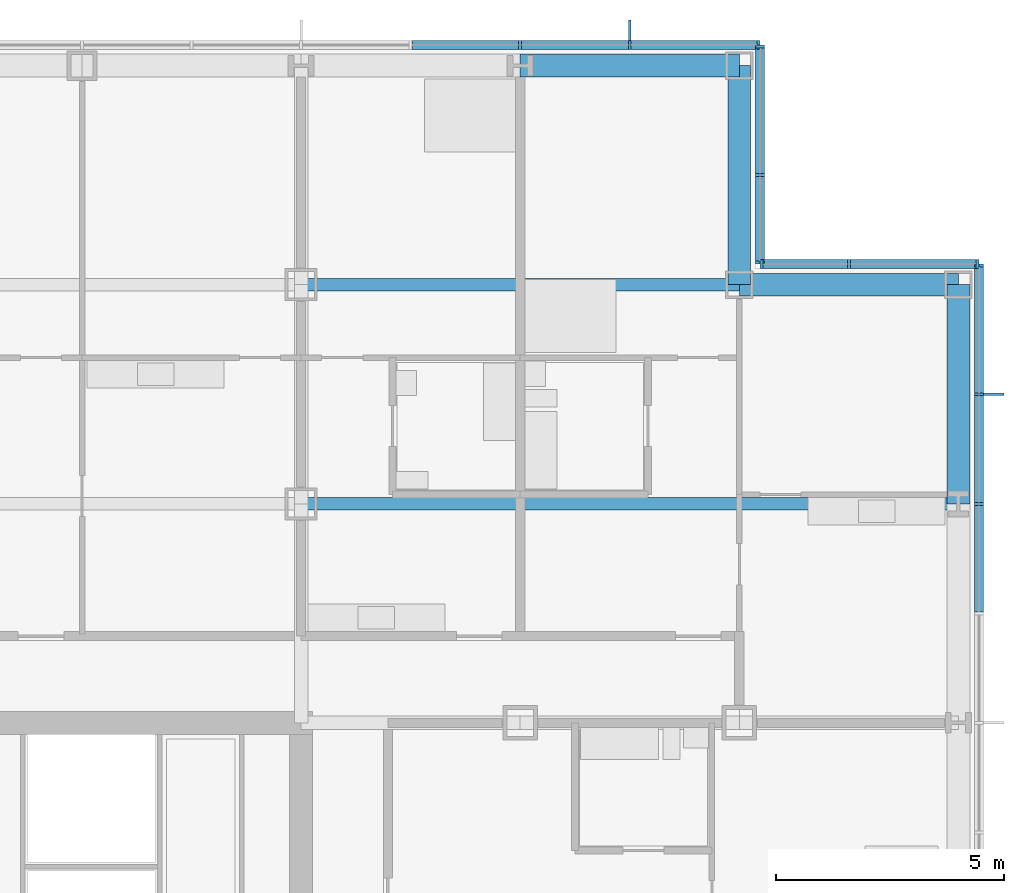
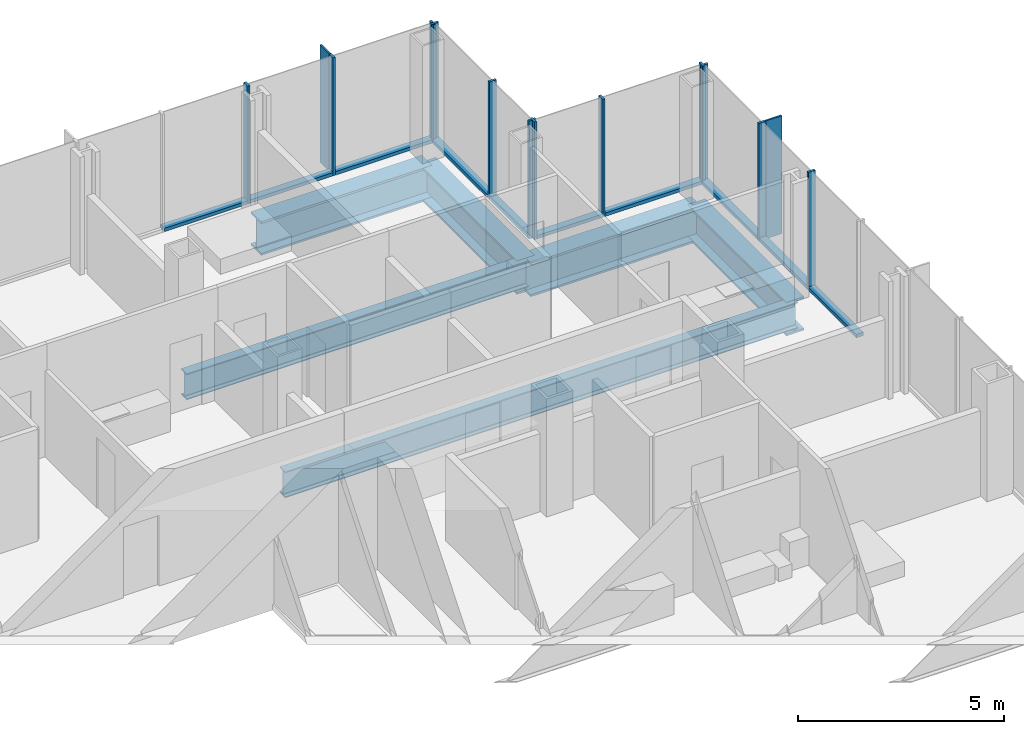
# One storey, part 11 of 21: 24 members, 6 beams, 4 elements without a shape of their own.
"""IFC4 building model written with IfcOpenShell, lengths in metres."""

from ifc_helpers import new_model, si_unit, direction, frame, origin, origin_2d, place, context, subcontext, project, spatial, rectangle, i_section, extrude, material, material_profile, profile_set, type_object, element, aggregate, save


model = new_model("IFC4")

# Units and contexts
model_context = context("Model", 3, precision=1e-05, world=origin(), true_north=direction((0.0, 1.0)))
body_context = subcontext(model_context, "Body", "Model", "MODEL_VIEW")
ifc_project = project(units=[si_unit("LENGTHUNIT", "METRE"), si_unit("AREAUNIT", "SQUARE_METRE"), si_unit("VOLUMEUNIT", "CUBIC_METRE"), si_unit("PLANEANGLEUNIT", "RADIAN"), si_unit("MASSUNIT", "GRAM", prefix="KILO")], contexts=[model_context])

# Site, building, storey
site_placement = place(None, origin())
site = spatial("IfcSite", under=ifc_project, at=site_placement, CompositionType="ELEMENT")
building_placement = place(site_placement, origin())
building = spatial("IfcBuilding", under=site, at=building_placement, Name="Kvirike Care Tower", CompositionType="ELEMENT")
storey_placement = place(building_placement, frame((0.0, 0.0, 27.0)))
storey = spatial("IfcBuildingStorey", under=building, at=storey_placement, Name="L06", CompositionType="ELEMENT", Elevation=27.0)

# Curtain wall, member
ifc_material_1 = material(Name="Anodised aluminium stick system", Category="aluminium")
curtain_wall_type = type_object("IfcCurtainWallType", Name="CW-A STICK CURTAIN WALL", PredefinedType="NOTDEFINED", material=ifc_material_1)
curtain_wall_1_placement = place(storey_placement, origin())
curtain_wall_1 = element("IfcCurtainWall", 1, at=curtain_wall_1_placement, inside=storey, type_object=curtain_wall_type, Name="Curtain wall L06 face 7", PredefinedType="NOTDEFINED")
ifc_material_2 = material(Name="Bronze anodised aluminium fin", Category="aluminium")
ifc_material_profile_1 = material_profile(ifc_material_2, rectangle(XDim=0.050048828125, YDim=0.449951171875, at=origin_2d()), Name="BRONZE FIN 450")
ifc_profile_set_1 = profile_set([ifc_material_profile_1], Name="Bronze anodised aluminium fin")
member_type_1 = type_object("IfcMemberType", Name="BRONZE FIN 450", PredefinedType="USERDEFINED", material=ifc_profile_set_1)
member_1_placement = place(storey_placement, frame((43.97509765625, 50.39990234375, 0.0), z_axis=(0.0, 0.0, 1.0), x_axis=(0.0, 1.0, 0.0)))
member_1 = element("IfcMember", 2, at=member_1_placement, type_object=member_type_1, Name="Bronze fin L06 face 7.14", ObjectType="FIN", PredefinedType="USERDEFINED", context=body_context, shape_type="SweptSolid", body=[
    extrude(rectangle(XDim=0.050048828125, YDim=0.449951171875, at=origin_2d()), origin(), (0.0, 0.0, 1.0), 3.5),
])

curtain_wall_2_placement = place(storey_placement, origin())
curtain_wall_2 = element("IfcCurtainWall", 3, at=curtain_wall_2_placement, inside=storey, type_object=curtain_wall_type, Name="Curtain wall L06 face 10", PredefinedType="NOTDEFINED")
member_2_placement = place(storey_placement, frame((36.0, 58.375, 0.0), z_axis=(0.0, 0.0, 1.0), x_axis=(-1.0, 0.0, 0.0)))
member_2 = element("IfcMember", 4, at=member_2_placement, type_object=member_type_1, Name="Bronze fin L06 face 10.2", ObjectType="FIN", PredefinedType="USERDEFINED", context=body_context, shape_type="SweptSolid", body=[
    extrude(rectangle(XDim=0.050048828125, YDim=0.449951171875, at=origin_2d()), origin(), (0.0, 0.0, 1.0), 3.5),
])

# Member
ifc_material_3 = material(Name="Bronze anodised aluminium mullion", Category="aluminium")
ifc_material_profile_2 = material_profile(ifc_material_3, rectangle(XDim=0.06494140625, YDim=0.199951171875, at=origin_2d()), Name="CW-A MULLION 65x200")
ifc_profile_set_2 = profile_set([ifc_material_profile_2], Name="Bronze anodised aluminium mullion")
member_type_2 = type_object("IfcMemberType", Name="CW-A MULLION 65x200", PredefinedType="MULLION", material=ifc_profile_set_2)
member_3_placement = place(storey_placement, frame((43.64990234375, 48.0, 0.0), z_axis=(0.0, 0.0, 1.0), x_axis=(0.0, 1.0, 0.0)))
member_3 = element("IfcMember", 5, at=member_3_placement, type_object=member_type_2, Name="CW-A mullion L06 face 7.13", PredefinedType="MULLION", context=body_context, shape_type="SweptSolid", body=[
    extrude(rectangle(XDim=0.06494140625, YDim=0.199951171875, at=origin_2d()), origin(), (0.0, 0.0, 1.0), 3.5),
])

member_4_placement = place(storey_placement, frame((43.64990234375, 50.39990234375, 0.0), z_axis=(0.0, 0.0, 1.0), x_axis=(0.0, 1.0, 0.0)))
member_4 = element("IfcMember", 6, at=member_4_placement, type_object=member_type_2, Name="CW-A mullion L06 face 7.14", PredefinedType="MULLION", context=body_context, shape_type="SweptSolid", body=[
    extrude(rectangle(XDim=0.06494140625, YDim=0.199951171875, at=origin_2d()), origin(), (0.0, 0.0, 1.0), 3.5),
])

member_5_placement = place(storey_placement, frame((43.64990234375, 53.217529296875, 0.0), z_axis=(0.0, 0.0, 1.0), x_axis=(0.0, 1.0, 0.0)))
member_5 = element("IfcMember", 7, at=member_5_placement, type_object=member_type_2, Name="CW-A mullion L06 face 7.15", PredefinedType="MULLION", context=body_context, shape_type="SweptSolid", body=[
    extrude(rectangle(XDim=0.06494140625, YDim=0.199951171875, at=origin_2d()), origin(), (0.0, 0.0, 1.0), 3.5),
])

# Curtain wall, members
curtain_wall_3_placement = place(storey_placement, origin())
curtain_wall_3 = element("IfcCurtainWall", 8, at=curtain_wall_3_placement, inside=storey, type_object=curtain_wall_type, Name="Curtain wall L06 face 8", PredefinedType="NOTDEFINED")
member_6_placement = place(storey_placement, frame((43.617431640625, 53.25, 0.0), z_axis=(0.0, 0.0, 1.0), x_axis=(-1.0, 0.0, 0.0)))
member_6 = element("IfcMember", 9, at=member_6_placement, type_object=member_type_2, Name="CW-A mullion L06 face 8.1", PredefinedType="MULLION", context=body_context, shape_type="SweptSolid", body=[
    extrude(rectangle(XDim=0.06494140625, YDim=0.199951171875, at=origin_2d()), origin(), (0.0, 0.0, 1.0), 3.5),
])
member_7_placement = place(storey_placement, frame((40.800048828125, 53.25, 0.0), z_axis=(0.0, 0.0, 1.0), x_axis=(-1.0, 0.0, 0.0)))
member_7 = element("IfcMember", 10, at=member_7_placement, type_object=member_type_2, Name="CW-A mullion L06 face 8.2", PredefinedType="MULLION", context=body_context, shape_type="SweptSolid", body=[
    extrude(rectangle(XDim=0.06494140625, YDim=0.199951171875, at=origin_2d()), origin(), (0.0, 0.0, 1.0), 3.5),
])
member_8_placement = place(storey_placement, frame((38.882568359375, 53.25, 0.0), z_axis=(0.0, 0.0, 1.0), x_axis=(-1.0, 0.0, 0.0)))
member_8 = element("IfcMember", 11, at=member_8_placement, type_object=member_type_2, Name="CW-A mullion L06 face 8.3", PredefinedType="MULLION", context=body_context, shape_type="SweptSolid", body=[
    extrude(rectangle(XDim=0.06494140625, YDim=0.199951171875, at=origin_2d()), origin(), (0.0, 0.0, 1.0), 3.5),
])

curtain_wall_4_placement = place(storey_placement, origin())
curtain_wall_4 = element("IfcCurtainWall", 12, at=curtain_wall_4_placement, inside=storey, type_object=curtain_wall_type, Name="Curtain wall L06 face 9", PredefinedType="NOTDEFINED")
member_9_placement = place(storey_placement, frame((38.85009765625, 53.282470703125, 0.0), z_axis=(0.0, 0.0, 1.0), x_axis=(0.0, 1.0, 0.0)))
member_9 = element("IfcMember", 13, at=member_9_placement, type_object=member_type_2, Name="CW-A mullion L06 face 9.1", PredefinedType="MULLION", context=body_context, shape_type="SweptSolid", body=[
    extrude(rectangle(XDim=0.06494140625, YDim=0.199951171875, at=origin_2d()), origin(), (0.0, 0.0, 1.0), 3.5),
])
member_10_placement = place(storey_placement, frame((38.85009765625, 55.199951171875, 0.0), z_axis=(0.0, 0.0, 1.0), x_axis=(0.0, 1.0, 0.0)))
member_10 = element("IfcMember", 14, at=member_10_placement, type_object=member_type_2, Name="CW-A mullion L06 face 9.2", PredefinedType="MULLION", context=body_context, shape_type="SweptSolid", body=[
    extrude(rectangle(XDim=0.06494140625, YDim=0.199951171875, at=origin_2d()), origin(), (0.0, 0.0, 1.0), 3.5),
])
member_11_placement = place(storey_placement, frame((38.85009765625, 58.017578125, 0.0), z_axis=(0.0, 0.0, 1.0), x_axis=(0.0, 1.0, 0.0)))
member_11 = element("IfcMember", 15, at=member_11_placement, type_object=member_type_2, Name="CW-A mullion L06 face 9.3", PredefinedType="MULLION", context=body_context, shape_type="SweptSolid", body=[
    extrude(rectangle(XDim=0.06494140625, YDim=0.199951171875, at=origin_2d()), origin(), (0.0, 0.0, 1.0), 3.5),
])

# Member
member_12_placement = place(storey_placement, frame((38.8173828125, 58.050048828125, 0.0), z_axis=(0.0, 0.0, 1.0), x_axis=(-1.0, 0.0, 0.0)))
member_12 = element("IfcMember", 16, at=member_12_placement, type_object=member_type_2, Name="CW-A mullion L06 face 10.1", PredefinedType="MULLION", context=body_context, shape_type="SweptSolid", body=[
    extrude(rectangle(XDim=0.06494140625, YDim=0.199951171875, at=origin_2d()), origin(), (0.0, 0.0, 1.0), 3.5),
])

member_13_placement = place(storey_placement, frame((36.0, 58.050048828125, 0.0), z_axis=(0.0, 0.0, 1.0), x_axis=(-1.0, 0.0, 0.0)))
member_13 = element("IfcMember", 17, at=member_13_placement, type_object=member_type_2, Name="CW-A mullion L06 face 10.2", PredefinedType="MULLION", context=body_context, shape_type="SweptSolid", body=[
    extrude(rectangle(XDim=0.06494140625, YDim=0.199951171875, at=origin_2d()), origin(), (0.0, 0.0, 1.0), 3.5),
])

member_14_placement = place(storey_placement, frame((33.60009765625, 58.050048828125, 0.0), z_axis=(0.0, 0.0, 1.0), x_axis=(-1.0, 0.0, 0.0)))
member_14 = element("IfcMember", 18, at=member_14_placement, type_object=member_type_2, Name="CW-A mullion L06 face 10.3", PredefinedType="MULLION", context=body_context, shape_type="SweptSolid", body=[
    extrude(rectangle(XDim=0.06494140625, YDim=0.199951171875, at=origin_2d()), origin(), (0.0, 0.0, 1.0), 3.5),
])

ifc_material_4 = material(Name="Bronze anodised aluminium transom", Category="aluminium")
ifc_material_profile_3 = material_profile(ifc_material_4, rectangle(XDim=0.199951171875, YDim=0.10009765625, at=origin_2d()), Name="CW-A TRANSOM 200x100")
ifc_profile_set_3 = profile_set([ifc_material_profile_3], Name="Bronze anodised aluminium transom")
member_type_3 = type_object("IfcMemberType", Name="CW-A TRANSOM 200x100", PredefinedType="USERDEFINED", material=ifc_profile_set_3)
member_15_placement = place(storey_placement, frame((43.64990234375, 45.632568359375, 0.050048828125), z_axis=(0.0, 1.0, 0.0), x_axis=(-1.0, 0.0, 0.0)))
member_15 = element("IfcMember", 19, at=member_15_placement, type_object=member_type_3, Name="CW-A sill transom L06 face 7.12", ObjectType="TRANSOM", PredefinedType="USERDEFINED", context=body_context, shape_type="SweptSolid", body=[
    extrude(rectangle(XDim=0.199951171875, YDim=0.10009765625, at=origin_2d()), origin(), (0.0, 0.0, 1.0), 2.3349609375),
])

member_16_placement = place(storey_placement, frame((43.64990234375, 48.032470703125, 0.050048828125), z_axis=(0.0, 1.0, 0.0), x_axis=(-1.0, 0.0, 0.0)))
member_16 = element("IfcMember", 20, at=member_16_placement, type_object=member_type_3, Name="CW-A sill transom L06 face 7.13", ObjectType="TRANSOM", PredefinedType="USERDEFINED", context=body_context, shape_type="SweptSolid", body=[
    extrude(rectangle(XDim=0.199951171875, YDim=0.10009765625, at=origin_2d()), origin(), (0.0, 0.0, 1.0), 2.3349609375),
])

member_17_placement = place(storey_placement, frame((43.64990234375, 50.4326171875, 0.050048828125), z_axis=(0.0, 1.0, 0.0), x_axis=(-1.0, 0.0, 0.0)))
member_17 = element("IfcMember", 21, at=member_17_placement, type_object=member_type_3, Name="CW-A sill transom L06 face 7.14", ObjectType="TRANSOM", PredefinedType="USERDEFINED", context=body_context, shape_type="SweptSolid", body=[
    extrude(rectangle(XDim=0.199951171875, YDim=0.10009765625, at=origin_2d()), origin(), (0.0, 0.0, 1.0), 2.75244140625),
])

aggregate(curtain_wall_1, [member_3, member_4, member_1, member_5, member_15, member_16, member_17])

member_18_placement = place(storey_placement, frame((43.5849609375, 53.25, 0.050048828125), z_axis=(-1.0, 0.0, 0.0), x_axis=(0.0, -1.0, 0.0)))
member_18 = element("IfcMember", 22, at=member_18_placement, type_object=member_type_3, Name="CW-A sill transom L06 face 8.1", ObjectType="TRANSOM", PredefinedType="USERDEFINED", context=body_context, shape_type="SweptSolid", body=[
    extrude(rectangle(XDim=0.199951171875, YDim=0.10009765625, at=origin_2d()), origin(), (0.0, 0.0, 1.0), 2.75244140625),
])

member_19_placement = place(storey_placement, frame((40.767578125, 53.25, 0.050048828125), z_axis=(-1.0, 0.0, 0.0), x_axis=(0.0, -1.0, 0.0)))
member_19 = element("IfcMember", 23, at=member_19_placement, type_object=member_type_3, Name="CW-A sill transom L06 face 8.2", ObjectType="TRANSOM", PredefinedType="USERDEFINED", context=body_context, shape_type="SweptSolid", body=[
    extrude(rectangle(XDim=0.199951171875, YDim=0.10009765625, at=origin_2d()), origin(), (0.0, 0.0, 1.0), 1.8525390625),
])

aggregate(curtain_wall_3, [member_6, member_7, member_8, member_18, member_19])

member_20_placement = place(storey_placement, frame((38.85009765625, 53.31494140625, 0.050048828125), z_axis=(0.0, 1.0, 0.0), x_axis=(-1.0, 0.0, 0.0)))
member_20 = element("IfcMember", 24, at=member_20_placement, type_object=member_type_3, Name="CW-A sill transom L06 face 9.1", ObjectType="TRANSOM", PredefinedType="USERDEFINED", context=body_context, shape_type="SweptSolid", body=[
    extrude(rectangle(XDim=0.199951171875, YDim=0.10009765625, at=origin_2d()), origin(), (0.0, 0.0, 1.0), 1.8525390625),
])

member_21_placement = place(storey_placement, frame((38.85009765625, 55.232421875, 0.050048828125), z_axis=(0.0, 1.0, 0.0), x_axis=(-1.0, 0.0, 0.0)))
member_21 = element("IfcMember", 25, at=member_21_placement, type_object=member_type_3, Name="CW-A sill transom L06 face 9.2", ObjectType="TRANSOM", PredefinedType="USERDEFINED", context=body_context, shape_type="SweptSolid", body=[
    extrude(rectangle(XDim=0.199951171875, YDim=0.10009765625, at=origin_2d()), origin(), (0.0, 0.0, 1.0), 2.752685546875),
])

aggregate(curtain_wall_4, [member_9, member_10, member_11, member_20, member_21])

member_22_placement = place(storey_placement, frame((38.784912109375, 58.050048828125, 0.050048828125), z_axis=(-1.0, 0.0, 0.0), x_axis=(0.0, -1.0, 0.0)))
member_22 = element("IfcMember", 26, at=member_22_placement, type_object=member_type_3, Name="CW-A sill transom L06 face 10.1", ObjectType="TRANSOM", PredefinedType="USERDEFINED", context=body_context, shape_type="SweptSolid", body=[
    extrude(rectangle(XDim=0.199951171875, YDim=0.10009765625, at=origin_2d()), origin(), (0.0, 0.0, 1.0), 2.75244140625),
])

member_23_placement = place(storey_placement, frame((35.967529296875, 58.050048828125, 0.050048828125), z_axis=(-1.0, 0.0, 0.0), x_axis=(0.0, -1.0, 0.0)))
member_23 = element("IfcMember", 27, at=member_23_placement, type_object=member_type_3, Name="CW-A sill transom L06 face 10.2", ObjectType="TRANSOM", PredefinedType="USERDEFINED", context=body_context, shape_type="SweptSolid", body=[
    extrude(rectangle(XDim=0.199951171875, YDim=0.10009765625, at=origin_2d()), origin(), (0.0, 0.0, 1.0), 2.3349609375),
])

member_24_placement = place(storey_placement, frame((33.5673828125, 58.050048828125, 0.050048828125), z_axis=(-1.0, 0.0, 0.0), x_axis=(0.0, -1.0, 0.0)))
member_24 = element("IfcMember", 28, at=member_24_placement, type_object=member_type_3, Name="CW-A sill transom L06 face 10.3", ObjectType="TRANSOM", PredefinedType="USERDEFINED", context=body_context, shape_type="SweptSolid", body=[
    extrude(rectangle(XDim=0.199951171875, YDim=0.10009765625, at=origin_2d()), origin(), (0.0, 0.0, 1.0), 2.3349609375),
])

aggregate(curtain_wall_2, [member_12, member_13, member_2, member_14, member_22, member_23, member_24])

# Beams
ifc_material_5 = material(Name="Steel S355", Category="steel")
ifc_material_profile_4 = material_profile(ifc_material_5, i_section(OverallWidth=0.26806640625, OverallDepth=0.77001953125, WebThickness=0.015625, FlangeThickness=0.025390625, FilletRadius=0.01708984375, at=origin_2d()), Name="IPE 750x196")
ifc_profile_set_4 = profile_set([ifc_material_profile_4], Name="Steel S355")
beam_type_1 = type_object("IfcBeamType", Name="FLOOR BEAM IPE 750x196", PredefinedType="BEAM", material=ifc_profile_set_4)
beam_1_placement = place(storey_placement, frame((28.800048828125, 48.0, -0.554931640625), z_axis=(1.0, 0.0, 0.0), x_axis=(0.0, 1.0, 0.0)))
element("IfcBeam", 29, at=beam_1_placement, inside=storey, type_object=beam_type_1, Name="Floor Beam L9-L12 L06", PredefinedType="BEAM", context=body_context, shape_type="SweptSolid", body=[
    extrude(i_section(OverallWidth=0.26806640625, OverallDepth=0.77001953125, WebThickness=0.015625, FlangeThickness=0.025390625, FilletRadius=0.01708984375, at=origin_2d()), origin(), (0.0, 0.0, 1.0), 14.39990234375),
])
beam_2_placement = place(storey_placement, frame((28.800048828125, 52.800048828125, -0.554931640625), z_axis=(1.0, 0.0, 0.0), x_axis=(0.0, 1.0, 0.0)))
element("IfcBeam", 30, at=beam_2_placement, inside=storey, type_object=beam_type_1, Name="Floor Beam M9-M11 L06", PredefinedType="BEAM", context=body_context, shape_type="SweptSolid", body=[
    extrude(i_section(OverallWidth=0.26806640625, OverallDepth=0.77001953125, WebThickness=0.015625, FlangeThickness=0.025390625, FilletRadius=0.01708984375, at=origin_2d()), origin(), (0.0, 0.0, 1.0), 9.599853515625),
])
ifc_material_6 = material(Name="Steel S355", Category="steel")
ifc_material_profile_5 = material_profile(ifc_material_6, i_section(OverallWidth=0.5, OverallDepth=1.0, WebThickness=0.030029296875, FlangeThickness=0.06005859375, at=origin_2d()), Name="PG 1000x500x30x60")
ifc_profile_set_5 = profile_set([ifc_material_profile_5], Name="Steel S355")
beam_type_2 = type_object("IfcBeamType", Name="SPANDREL PG 1000x500x30x60", PredefinedType="SPANDREL", material=ifc_profile_set_5)
beam_3_placement = place(storey_placement, frame((38.39990234375, 52.800048828125, -0.669921875), z_axis=(1.0, 0.0, 0.0), x_axis=(0.0, 1.0, 0.0)))
element("IfcBeam", 31, at=beam_3_placement, inside=storey, type_object=beam_type_2, Name="Spandrel M11-M12 L06", PredefinedType="SPANDREL", context=body_context, shape_type="SweptSolid", body=[
    extrude(i_section(OverallWidth=0.5, OverallDepth=1.0, WebThickness=0.030029296875, FlangeThickness=0.06005859375, at=origin_2d()), origin(), (0.0, 0.0, 1.0), 4.800048828125),
])
beam_4_placement = place(storey_placement, frame((33.60009765625, 57.60009765625, -0.669921875), z_axis=(1.0, 0.0, 0.0), x_axis=(0.0, 1.0, 0.0)))
element("IfcBeam", 32, at=beam_4_placement, inside=storey, type_object=beam_type_2, Name="Spandrel N10-N11 L06", PredefinedType="SPANDREL", context=body_context, shape_type="SweptSolid", body=[
    extrude(i_section(OverallWidth=0.5, OverallDepth=1.0, WebThickness=0.030029296875, FlangeThickness=0.06005859375, at=origin_2d()), origin(), (0.0, 0.0, 1.0), 4.7998046875),
])
for number, where, z_axis, x_axis, name in (
    (33, (38.39990234375, 52.800048828125, -0.669921875), (0.0, 1.0, 0.0), (-1.0, 0.0, 0.0), "Spandrel M11-N11 L06"),
    (34, (43.199951171875, 48.0, -0.669921875), (0.0, 1.0, 0.0), (-1.0, 0.0, 0.0), "Spandrel L12-M12 L06"),
):
    element("IfcBeam", number, at=place(storey_placement, frame(where, z_axis=z_axis, x_axis=x_axis)), inside=storey, type_object=beam_type_2, Name=name, PredefinedType="SPANDREL", context=body_context, shape_type="SweptSolid", body=[
        extrude(i_section(OverallWidth=0.5, OverallDepth=1.0, WebThickness=0.030029296875, FlangeThickness=0.06005859375, at=origin_2d()), origin(), (0.0, 0.0, 1.0), 4.800048828125),
    ])

save(model, "model.ifc")
